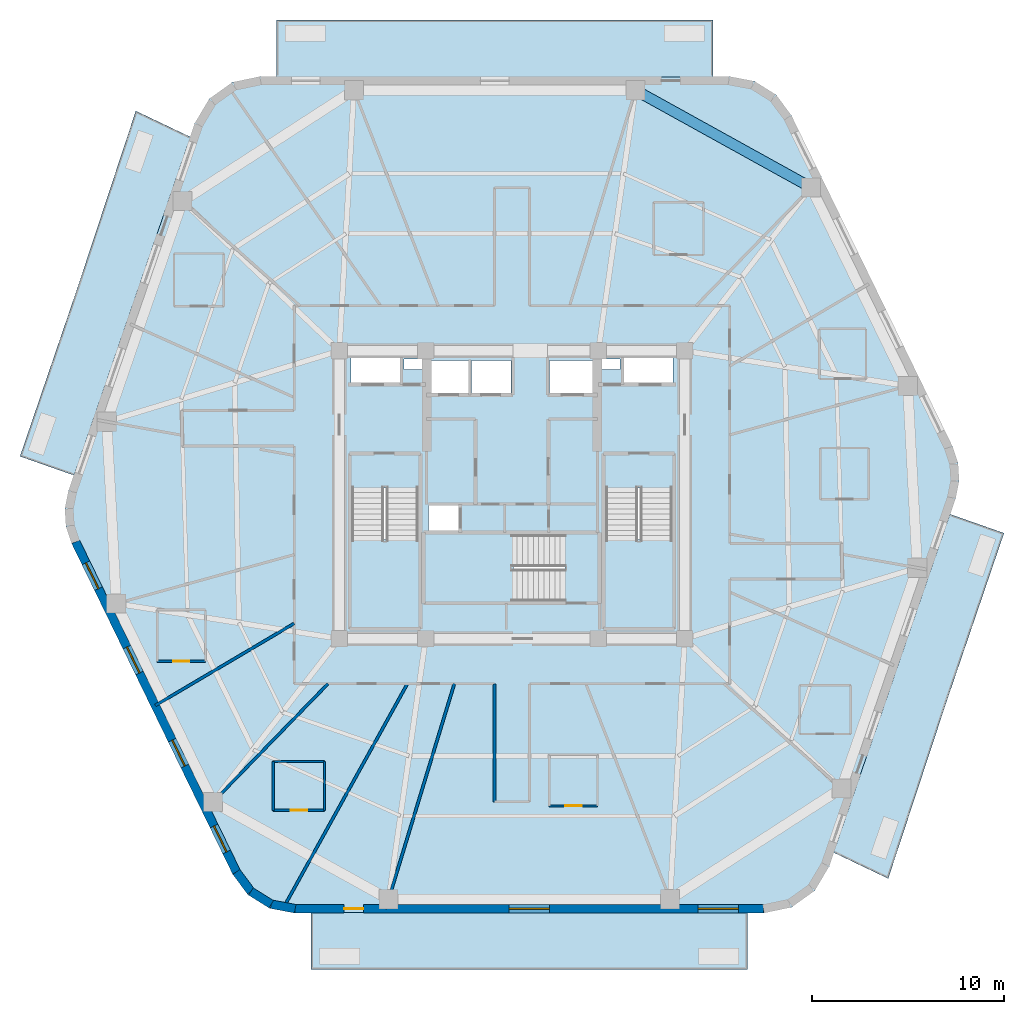
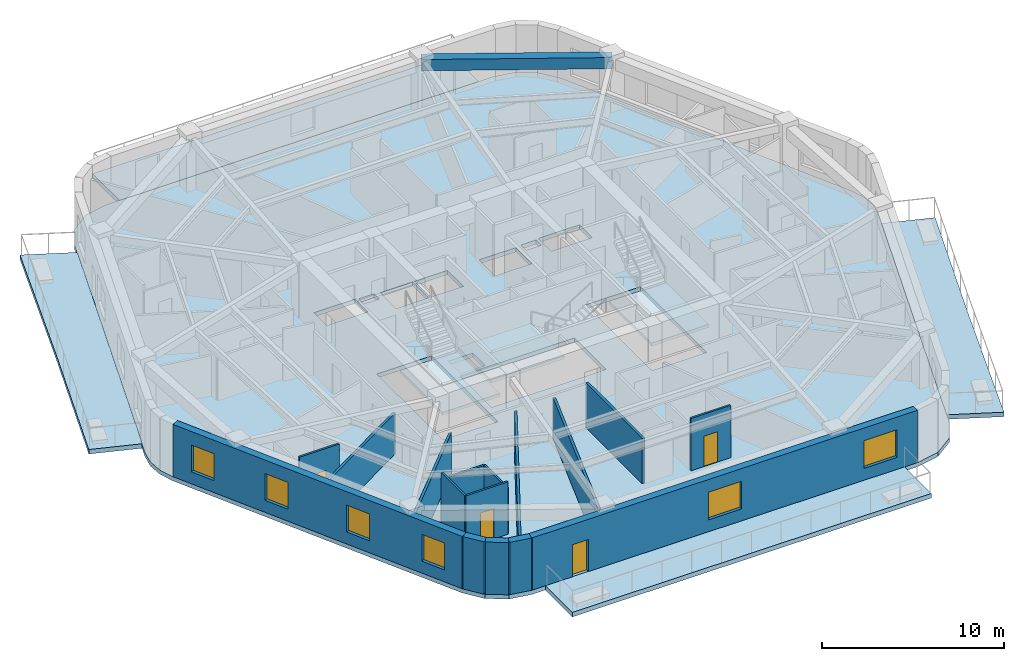
# One storey, part 2 of 9: 16 walls, 8 slabs, 6 windows, 4 doors, 1 beam, 10 openings, 3 elements without a shape of their own.
"""IFC4 building model written with IfcOpenShell, lengths in metres."""

import ifcopenshell
import ifcopenshell.guid

model = None  # the IFC model being written
_history = None  # IfcOwnerHistory: only IFC2X3 demands one
_inside = {}  # id of a spatial element -> (the spatial element, [elements in it])
_under = {}  # id of a project, library or spatial element -> (it, [spatial elements below it])
_declared = {}  # id of a project -> (the project, [libraries it declares])
_typed = {}  # id of a type object -> (the type object, [elements of that type])
_made_of = {}  # id of a material, layer set ... -> (it, [elements and type objects made of it])


def new_model(schema):
    """Start an empty IFC model of exactly this schema.

    Asked for "IFC4X3", IfcOpenShell would pick the latest addendum, in which some entities
    have other attributes; the version numbers below select the first issue.
    IFC2X3 requires an IfcOwnerHistory on every rooted entity: one is made here for all.
    """
    global model, _history
    if schema == "IFC4X3":
        model = ifcopenshell.file(schema_version=(4, 3, 0, 0))
    else:
        model = ifcopenshell.file(schema=schema)
    _inside.clear()
    _under.clear()
    _declared.clear()
    _typed.clear()
    _made_of.clear()
    _history = None
    if model.schema == "IFC2X3":
        org = make("IfcOrganization", Name="unknown")
        user = make(
            "IfcPersonAndOrganization",
            ThePerson=make("IfcPerson", FamilyName="unknown"),
            TheOrganization=org,
        )
        app = make(
            "IfcApplication",
            ApplicationDeveloper=org,
            Version="unknown",
            ApplicationFullName="unknown",
            ApplicationIdentifier="unknown",
        )
        _history = make(
            "IfcOwnerHistory",
            OwningUser=user,
            OwningApplication=app,
            ChangeAction="ADDED",
            CreationDate=0,
        )
    return model


def make(cls, **values):
    """One entity of the class cls with the attributes given. An attribute that is None is left unset."""
    return model.create_entity(
        cls, **{name: value for name, value in values.items() if value is not None}
    )


def rooted(cls, **values):
    """An entity with a GlobalId (a new one), such as an element, a storey or a relation."""
    return make(cls, GlobalId=ifcopenshell.guid.new(), OwnerHistory=_history, **values)


def si_unit(unit_type, name, prefix=None):
    """IfcSIUnit, for example si_unit("LENGTHUNIT", "METRE", prefix="MILLI")."""
    return make("IfcSIUnit", UnitType=unit_type, Prefix=prefix, Name=name)


def assignment(units):
    """IfcUnitAssignment: the units of a project."""
    return None if units is None else make("IfcUnitAssignment", Units=units)


def point(xyz):
    """IfcCartesianPoint."""
    return None if xyz is None else make("IfcCartesianPoint", Coordinates=xyz)


def direction(xyz):
    """IfcDirection."""
    return None if xyz is None else make("IfcDirection", DirectionRatios=xyz)


def frame(location, z_axis=None, x_axis=None):
    """IfcAxis2Placement3D, a coordinate frame: its origin and axes. An axis left out is left unset."""
    return make(
        "IfcAxis2Placement3D",
        Location=point(location),
        Axis=direction(z_axis),
        RefDirection=direction(x_axis),
    )


def frame_2d(location, x_axis=None):
    """IfcAxis2Placement2D, a coordinate frame in the plane: its origin and x axis."""
    return make(
        "IfcAxis2Placement2D", Location=point(location), RefDirection=direction(x_axis)
    )


def origin():
    """The frame at (0, 0, 0) with its axes left unset."""
    return frame((0.0, 0.0, 0.0))


def origin_2d():
    """The frame at (0, 0) in the plane with its x axis left unset."""
    return frame_2d((0.0, 0.0))


def place(relative_to, where):
    """IfcLocalPlacement: puts the frame where relative to a parent placement (None: the world)."""
    return make(
        "IfcLocalPlacement", PlacementRelTo=relative_to, RelativePlacement=where
    )


def context(
    kind, dimensions, precision=None, world=None, true_north=None, identifier=None
):
    """IfcGeometricRepresentationContext, for example the 3D "Model" context."""
    return make(
        "IfcGeometricRepresentationContext",
        ContextIdentifier=identifier,
        ContextType=kind,
        CoordinateSpaceDimension=dimensions,
        Precision=precision,
        WorldCoordinateSystem=world,
        TrueNorth=true_north,
    )


def subcontext(parent, identifier, kind, view, scale=None):
    """IfcGeometricRepresentationSubContext, for example "Body" below "Model"."""
    return make(
        "IfcGeometricRepresentationSubContext",
        ContextIdentifier=identifier,
        ContextType=kind,
        ParentContext=parent,
        TargetScale=scale,
        TargetView=view,
    )


def project(units=None, contexts=None):
    """IfcProject with its units and contexts."""
    return rooted(
        "IfcProject",
        Name="project",
        RepresentationContexts=contexts,
        UnitsInContext=assignment(units),
    )


def spatial(cls, under=None, at=None, **own):
    """A site, building, storey or space (cls), placed at a placement, below another one or the project."""
    s = rooted(cls, ObjectPlacement=at, **own)
    if under is not None:
        _under.setdefault(under.id(), (under, []))[1].append(s)
    return s


def polyline(points):
    """IfcPolyline through the points."""
    return make("IfcPolyline", Points=[point(p) for p in points])


def profile(cls, at=None, kind="AREA", **sizes):
    """A parametric profile (cls). Its sizes go by their IFC names, for example OverallWidth=200.0."""
    return make(cls, ProfileType=kind, Position=at, **sizes)


def rectangle(**sizes):
    """IfcRectangleProfileDef."""
    return profile("IfcRectangleProfileDef", **sizes)


def outline(outer, holes=None, kind="AREA"):
    """IfcArbitraryClosedProfileDef: a profile drawn as a closed curve; with holes, ...WithVoids."""
    if holes is None:
        return make("IfcArbitraryClosedProfileDef", ProfileType=kind, OuterCurve=outer)
    return make(
        "IfcArbitraryProfileDefWithVoids",
        ProfileType=kind,
        OuterCurve=outer,
        InnerCurves=holes,
    )


def extrude(swept, where, along, depth):
    """IfcExtrudedAreaSolid: the profile swept, set in the frame where, extruded along a direction by depth."""
    return make(
        "IfcExtrudedAreaSolid",
        SweptArea=swept,
        Position=where,
        ExtrudedDirection=direction(along),
        Depth=depth,
    )


def shape(context_of_items, identifier, shape_type, items):
    """IfcShapeRepresentation: the items that make up one representation, for example the "Body"."""
    return make(
        "IfcShapeRepresentation",
        ContextOfItems=context_of_items,
        RepresentationIdentifier=identifier,
        RepresentationType=shape_type,
        Items=items,
    )


def material(Name=None, Category=None):
    """IfcMaterial."""
    return make("IfcMaterial", Name=Name, Category=Category)


def layer(
    of_material, thickness, ventilated=None, Name=None, Category=None, Priority=None
):
    """IfcMaterialLayer: one layer of a wall or slab, of a material (None: an air gap)."""
    return make(
        "IfcMaterialLayer",
        Material=of_material,
        LayerThickness=thickness,
        IsVentilated=ventilated,
        Name=Name,
        Category=Category,
        Priority=Priority,
    )


def layer_set(layers, Name=None):
    """IfcMaterialLayerSet."""
    return make("IfcMaterialLayerSet", MaterialLayers=layers, LayerSetName=Name)


def material_profile(
    of_material, cross_section, Name=None, Category=None, Priority=None
):
    """IfcMaterialProfile: a cross section and its material."""
    return make(
        "IfcMaterialProfile",
        Name=Name,
        Material=of_material,
        Profile=cross_section,
        Priority=Priority,
        Category=Category,
    )


def profile_set(profiles, Name=None, composite=None):
    """IfcMaterialProfileSet."""
    return make(
        "IfcMaterialProfileSet",
        Name=Name,
        MaterialProfiles=profiles,
        CompositeProfile=composite,
    )


def made_of(thing, what):
    """Note that an element or type object is made of a material, layer set ...; save() writes the relation."""
    if what is not None:
        _made_of.setdefault(what.id(), (what, []))[1].append(thing)
    return thing


def type_object(cls, material=None, **own):
    """A type object (cls), such as IfcWallType, which elements share."""
    return made_of(rooted(cls, **own), material)


def element(
    cls,
    number,
    at=None,
    inside=None,
    cuts=None,
    type_object=None,
    material=None,
    context=None,
    identifier="Body",
    shape_type=None,
    held_by="IfcProductDefinitionShape",
    body=None,
    shapes=None,
    **own,
):
    """One element of the class cls, such as IfcWall. Its Tag is "e" and its number.

    at: its placement. inside: the storey or other place that contains it. cuts: it is an
    opening in that element (IfcRelVoidsElement). A single representation is given by context,
    identifier, shape_type and body (its items); several are given by shapes. held_by: the class
    of the entity that holds the representations. save() writes the other relations.
    """
    e = rooted(cls, Tag="e%d" % number, ObjectPlacement=at, **own)
    if body is not None:
        shapes = [shape(context, identifier, shape_type, body)]
    if shapes is not None:
        e.Representation = make(held_by, Representations=shapes)
    if inside is not None:
        _inside.setdefault(inside.id(), (inside, []))[1].append(e)
    if cuts is not None:
        rooted(
            "IfcRelVoidsElement", RelatingBuildingElement=cuts, RelatedOpeningElement=e
        )
    if type_object is not None:
        _typed.setdefault(type_object.id(), (type_object, []))[1].append(e)
    return made_of(e, material)


def fill(opening, filler):
    """IfcRelFillsElement: the door or window that sits in an opening."""
    return rooted(
        "IfcRelFillsElement",
        RelatingOpeningElement=opening,
        RelatedBuildingElement=filler,
    )


def aggregate(whole, parts):
    """IfcRelAggregates: a whole, such as a stair, and the parts it consists of."""
    return rooted("IfcRelAggregates", RelatingObject=whole, RelatedObjects=parts)


def save(model, path):
    """Write the relations noted so far, then the file.

    IfcRelAggregates (storeys below a building ...), IfcRelContainedInSpatialStructure (elements
    in a storey), IfcRelDefinesByType, IfcRelAssociatesMaterial and IfcRelDeclares: one each for
    every whole, place, type object, material and project.
    """
    for whole, parts in _under.values():
        aggregate(whole, parts)
    for where, things in _inside.values():
        rooted(
            "IfcRelContainedInSpatialStructure",
            RelatedElements=things,
            RelatingStructure=where,
        )
    for kind, things in _typed.values():
        rooted("IfcRelDefinesByType", RelatedObjects=things, RelatingType=kind)
    for what, things in _made_of.values():
        rooted("IfcRelAssociatesMaterial", RelatedObjects=things, RelatingMaterial=what)
    for by, libraries in _declared.values():
        rooted("IfcRelDeclares", RelatingContext=by, RelatedDefinitions=libraries)
    model.write(path)


model = new_model("IFC4")

# Units and contexts
model_context = context("Model", 3, precision=1e-05, world=origin(), true_north=direction((0.0, 1.0)))
body_context = subcontext(model_context, "Body", "Model", "MODEL_VIEW")
ifc_project = project(units=[si_unit("LENGTHUNIT", "METRE"), si_unit("AREAUNIT", "SQUARE_METRE"), si_unit("VOLUMEUNIT", "CUBIC_METRE"), si_unit("PLANEANGLEUNIT", "RADIAN"), si_unit("MASSUNIT", "GRAM", prefix="KILO")], contexts=[model_context])

# Site, building, storey
site_placement = place(None, origin())
site = spatial("IfcSite", under=ifc_project, at=site_placement, CompositionType="ELEMENT")
building_placement = place(site_placement, origin())
building = spatial("IfcBuilding", under=site, at=building_placement, Name="Kilnhurst Terrace Hotel", CompositionType="ELEMENT")
storey_placement = place(building_placement, frame((0.0, 0.0, 221.699951171875)))
storey = spatial("IfcBuildingStorey", under=building, at=storey_placement, Name="L55", CompositionType="ELEMENT", Elevation=221.699951171875)

# Beam
ifc_material_1 = material(Name="Concrete C50/60", Category="concrete")
ifc_material_profile = material_profile(ifc_material_1, rectangle(XDim=0.550048828125, YDim=0.75, at=origin_2d()), Name="RC550X750")
ifc_profile_set = profile_set([ifc_material_profile], Name="Concrete C50/60")
beam_type = type_object("IfcBeamType", Name="BM-SPN-550X750", PredefinedType="SPANDREL", material=ifc_profile_set)
beam_placement = place(storey_placement, frame((15.5869140625, 16.012939453125, 3.125), z_axis=(-0.874970333121, 0.484176534085, 0.0), x_axis=(-0.484176534085, -0.874970333121, 0.0)))
element("IfcBeam", 1, at=beam_placement, inside=storey, type_object=beam_type, Name="L55 Perimeter Spandrel Beam 6", PredefinedType="SPANDREL", context=body_context, shape_type="SweptSolid", body=[
    extrude(rectangle(XDim=0.550048828125, YDim=0.75, at=origin_2d()), origin(), (0.0, 0.0, 1.0), 10.465576171875),
])

# Slabs
ifc_layer_1 = layer(ifc_material_1, 0.300048828125, Name="Concrete C50/60")
ifc_layer_set_1 = layer_set([ifc_layer_1], Name="Concrete C50/60")
slab_type_1 = type_object("IfcSlabType", Name="SLB-BAL-300", PredefinedType="FLOOR", material=ifc_layer_set_1)
slab_1_placement = place(storey_placement, frame((0.0, 0.0, -0.300048828125)))
element("IfcSlab", 2, at=slab_1_placement, inside=storey, type_object=slab_type_1, Name="L55 Cantilevered Planted Terrace Slab BAL-L1A", PredefinedType="FLOOR", context=body_context, shape_type="SweptSolid", body=[
    extrude(outline(polyline([(-10.46875, -21.780029296875), (12.27490234375, -21.780029296875), (12.27490234375, -24.739990234375), (-10.46875, -24.739990234375), (-10.46875, -21.780029296875)])), origin(), (0.0, 0.0, 1.0), 0.300048828125),
])
slab_2_placement = place(storey_placement, frame((0.0, 0.0, -0.300048828125)))
element("IfcSlab", 3, at=slab_2_placement, inside=storey, type_object=slab_type_1, Name="L55 Cantilevered Planted Terrace Slab BAL-L1B", PredefinedType="FLOOR", context=body_context, shape_type="SweptSolid", body=[
    extrude(outline(polyline([(19.604736328125, -20.0), (16.75830078125, -18.64208984375), (22.8193359375, -1.010498046875), (25.638916015625, -2.0), (22.650146484375, -10.76171875), (19.604736328125, -20.0)])), origin(), (0.0, 0.0, 1.0), 0.300048828125),
])
slab_3_placement = place(storey_placement, frame((0.0, 0.0, -0.300048828125)))
element("IfcSlab", 4, at=slab_3_placement, inside=storey, type_object=slab_type_1, Name="L55 Cantilevered Planted Terrace Slab BAL-L2A", PredefinedType="FLOOR", context=body_context, shape_type="SweptSolid", body=[
    extrude(outline(polyline([(-12.27490234375, 21.780029296875), (-12.27490234375, 24.739990234375), (10.46875, 24.739990234375), (10.46875, 21.780029296875), (-12.27490234375, 21.780029296875)])), origin(), (0.0, 0.0, 1.0), 0.300048828125),
])
slab_4_placement = place(storey_placement, frame((0.0, 0.0, -0.300048828125)))
element("IfcSlab", 5, at=slab_4_placement, inside=storey, type_object=slab_type_1, Name="L55 Cantilevered Planted Terrace Slab BAL-L2B", PredefinedType="FLOOR", context=body_context, shape_type="SweptSolid", body=[
    extrude(outline(polyline([(-19.604736328125, 20.0), (-16.75830078125, 18.64208984375), (-22.8193359375, 1.010498046875), (-25.638916015625, 2.0), (-22.650146484375, 10.76171875), (-19.604736328125, 20.0)])), origin(), (0.0, 0.0, 1.0), 0.300048828125),
])
ifc_layer_2 = layer(ifc_material_1, 0.280029296875, Name="Concrete C50/60")
ifc_layer_set_2 = layer_set([ifc_layer_2], Name="Concrete C50/60")
slab_type_2 = type_object("IfcSlabType", Name="SLB-FLR-280", PredefinedType="FLOOR", material=ifc_layer_set_2)
slab_5_placement = place(storey_placement, frame((0.0, 0.0, -0.280029296875)))
element("IfcSlab", 6, at=slab_5_placement, inside=storey, type_object=slab_type_2, Name="L55 Structural Floor Slab", PredefinedType="FLOOR", context=body_context, shape_type="SweptSolid", body=[
    extrude(outline(polyline([(-14.555419921875, -19.77587890625), (-13.759765625, -20.845947265625), (-12.629150390625, -21.552978515625), (-11.318603515625, -21.800048828125), (13.124755859375, -21.800048828125), (14.5703125, -21.4970703125), (15.772705078125, -20.638916015625), (16.529296875, -19.370361328125), (23.1162109375, -0.208740234375), (23.302978515625, 0.710693359375), (23.24560546875, 1.6474609375), (22.948486328125, 2.537353515625), (14.555419921875, 19.77587890625), (13.759765625, 20.845947265625), (12.629150390625, 21.552978515625), (11.318603515625, 21.800048828125), (-13.124755859375, 21.800048828125), (-14.5703125, 21.4970703125), (-15.772705078125, 20.638916015625), (-16.529296875, 19.370361328125), (-23.1162109375, 0.208740234375), (-23.302978515625, -0.710693359375), (-23.24560546875, -1.6474609375), (-22.948486328125, -2.537353515625), (-14.555419921875, -19.77587890625)]), holes=[polyline([(-8.35009765625, 0.35498046875), (-4.8798828125, 0.35498046875), (-4.8798828125, -6.89990234375), (-8.35009765625, -6.89990234375), (-8.35009765625, 0.35498046875)]), polyline([(-2.800048828125, -1.89990234375), (-4.35009765625, -1.89990234375), (-4.35009765625, -0.550048828125), (-2.800048828125, -0.550048828125), (-2.800048828125, -1.89990234375)]), polyline([(-2.25, 5.25), (-4.300048828125, 5.25), (-4.300048828125, 7.0), (-2.25, 7.0), (-2.25, 5.25)]), polyline([(-2.1201171875, 5.25), (-2.1201171875, 7.0), (-0.050048828125, 7.0), (-0.050048828125, 5.25), (-2.1201171875, 5.25)]), polyline([(-8.39990234375, 5.75), (-8.39990234375, 7.14990234375), (-5.800048828125, 7.14990234375), (-5.800048828125, 5.75), (-8.39990234375, 5.75)]), polyline([(-4.659912109375, 6.52001953125), (-5.6201171875, 6.52001953125), (-5.6201171875, 7.080078125), (-4.659912109375, 7.080078125), (-4.659912109375, 6.52001953125)]), polyline([(2.7548828125, -5.550048828125), (-4.5, -5.550048828125), (-4.5, -2.080078125), (2.7548828125, -2.080078125), (2.7548828125, -5.550048828125)]), polyline([(8.35009765625, 0.35498046875), (8.35009765625, -6.89990234375), (4.8798828125, -6.89990234375), (4.8798828125, 0.35498046875), (8.35009765625, 0.35498046875)]), polyline([(4.300048828125, 5.25), (1.949951171875, 5.25), (1.949951171875, 7.0), (4.300048828125, 7.0), (4.300048828125, 5.25)]), polyline([(5.800048828125, 5.75), (5.800048828125, 7.14990234375), (8.39990234375, 7.14990234375), (8.39990234375, 5.75), (5.800048828125, 5.75)]), polyline([(4.659912109375, 6.52001953125), (4.659912109375, 7.080078125), (5.6201171875, 7.080078125), (5.6201171875, 6.52001953125), (4.659912109375, 6.52001953125)])]), origin(), (0.0, 0.0, 1.0), 0.280029296875),
])

# Stair, slab
stair_type = type_object("IfcStairType", Name="STR-CORE-1660", PredefinedType="HALF_TURN_STAIR", material=ifc_material_1)
stair_1_placement = place(storey_placement, origin())
stair_1 = element("IfcStair", 7, at=stair_1_placement, inside=storey, type_object=stair_type, Name="L55 ST-1", PredefinedType="HALF_TURN_STAIR")
ifc_layer_3 = layer(ifc_material_1, 0.199951171875, Name="Concrete C50/60")
ifc_layer_set_3 = layer_set([ifc_layer_3], Name="Concrete C50/60")
slab_type_3 = type_object("IfcSlabType", Name="SLB-ST-LND-200", PredefinedType="LANDING", material=ifc_layer_set_3)
slab_6_placement = place(storey_placement, frame((0.0, 0.0, 1.699951171875)))
slab_6 = element("IfcSlab", 8, at=slab_6_placement, type_object=slab_type_3, Name="ST-1 landing 1", PredefinedType="LANDING", context=body_context, shape_type="SweptSolid", body=[
    extrude(outline(polyline([(-8.429931640625, -2.330078125), (-4.800048828125, -2.330078125), (-4.800048828125, -6.97998046875), (-8.429931640625, -6.97998046875), (-8.429931640625, -2.330078125)])), origin(), (0.0, 0.0, 1.0), 0.2001953125),
])
aggregate(stair_1, [slab_6])

stair_2_placement = place(storey_placement, origin())
stair_2 = element("IfcStair", 9, at=stair_2_placement, inside=storey, type_object=stair_type, Name="L55 ST-2", PredefinedType="HALF_TURN_STAIR")
slab_7_placement = place(storey_placement, frame((0.0, 0.0, 1.699951171875)))
slab_7 = element("IfcSlab", 10, at=slab_7_placement, type_object=slab_type_3, Name="ST-2 landing 1", PredefinedType="LANDING", context=body_context, shape_type="SweptSolid", body=[
    extrude(outline(polyline([(4.800048828125, -2.330078125), (8.429931640625, -2.330078125), (8.429931640625, -6.97998046875), (4.800048828125, -6.97998046875), (4.800048828125, -2.330078125)])), origin(), (0.0, 0.0, 1.0), 0.2001953125),
])
aggregate(stair_2, [slab_7])

stair_3_placement = place(storey_placement, origin())
stair_3 = element("IfcStair", 11, at=stair_3_placement, inside=storey, type_object=stair_type, Name="L55 ST-3", PredefinedType="HALF_TURN_STAIR")
slab_8_placement = place(storey_placement, frame((0.0, 0.0, 1.699951171875)))
slab_8 = element("IfcSlab", 12, at=slab_8_placement, type_object=slab_type_3, Name="ST-3 landing 1", PredefinedType="LANDING", context=body_context, shape_type="SweptSolid", body=[
    extrude(outline(polyline([(0.070068359375, -2.0), (0.070068359375, -5.6298828125), (-4.580078125, -5.6298828125), (-4.580078125, -2.0), (0.070068359375, -2.0)])), origin(), (0.0, 0.0, 1.0), 0.2001953125),
])
aggregate(stair_3, [slab_8])

# Walls
ifc_material_2 = material(Name="Precast concrete C40/50", Category="concrete")
ifc_layer_4 = layer(ifc_material_2, 0.449951171875, Name="Precast concrete C40/50")
ifc_layer_set_4 = layer_set([ifc_layer_4], Name="Precast concrete C40/50")
wall_type_1 = type_object("IfcWallType", Name="WL-BRK-450", PredefinedType="SOLIDWALL", material=ifc_layer_set_4)
wall_1_placement = place(storey_placement, frame((-14.3623046875, -19.658447265625, 0.0), z_axis=(0.0, 0.0, 1.0), x_axis=(0.596642462792, -0.80250717853, 0.0)))
element("IfcWall", 13, at=wall_1_placement, inside=storey, type_object=wall_type_1, Name="L55 Rounded Corner Brick Wall C1.1", PredefinedType="SOLIDWALL", context=body_context, shape_type="SweptSolid", body=[
    extrude(rectangle(XDim=1.27001953125, YDim=0.449951171875, at=frame_2d((0.635009765625, 0.0))), origin(), (0.0, 0.0, 1.0), 3.5),
])
wall_2_placement = place(storey_placement, frame((-13.6044921875, -20.677734375, 0.0), z_axis=(0.0, 0.0, 1.0), x_axis=(0.847910404124, -0.53013955387, 0.0)))
element("IfcWall", 14, at=wall_2_placement, inside=storey, type_object=wall_type_1, Name="L55 Rounded Corner Brick Wall C1.2", PredefinedType="SOLIDWALL", context=body_context, shape_type="SweptSolid", body=[
    extrude(rectangle(XDim=1.24853515625, YDim=0.449951171875, at=frame_2d((0.624267578125, 0.0))), origin(), (0.0, 0.0, 1.0), 3.5),
])
wall_3_placement = place(storey_placement, frame((-12.5458984375, -21.339599609375, 0.0), z_axis=(0.0, 0.0, 1.0), x_axis=(0.982686750835, -0.18527479519, 0.0)))
element("IfcWall", 15, at=wall_3_placement, inside=storey, type_object=wall_type_1, Name="L55 Rounded Corner Brick Wall C1.3", PredefinedType="SOLIDWALL", context=body_context, shape_type="SweptSolid", body=[
    extrude(rectangle(XDim=1.270263671875, YDim=0.449951171875, at=frame_2d((0.63525390625, 0.0))), origin(), (0.0, 0.0, 1.0), 3.5),
])

# Wall, openings, door, windows
wall_4_placement = place(storey_placement, frame((-11.297607421875, -21.574951171875, 0.0), z_axis=(0.0, 0.0, 1.0), x_axis=(1.0, 0.0, 0.0)))
wall_4 = element("IfcWall", 16, at=wall_4_placement, inside=storey, type_object=wall_type_1, Name="L55 Exterior Brick Facade Wall F1", PredefinedType="SOLIDWALL", context=body_context, shape_type="SweptSolid", body=[
    extrude(rectangle(XDim=24.399169921875, YDim=0.449951171875, at=frame_2d((12.19970703125, 0.0))), origin(), (0.0, 0.0, 1.0), 3.5),
])
opening_1_placement = place(wall_4_placement, frame((2.550048828125, 0.0, 0.0)))
opening_1 = element("IfcOpeningElement", 17, at=opening_1_placement, cuts=wall_4, Name="Opening BD-1000", PredefinedType="OPENING", context=body_context, shape_type="SweptSolid", body=[
    extrude(rectangle(XDim=1.0, YDim=2.14990234375, at=frame_2d((0.5, 1.074951171875))), frame((0.0, 0.23486328125, 0.0), z_axis=(0.0, -1.0, 0.0), x_axis=(1.0, 0.0, 0.0)), (0.0, 0.0, 1.0), 0.469970703125),
])
opening_2_placement = place(wall_4_placement, frame((11.15087890625, 0.0, 0.800048828125)))
opening_2 = element("IfcOpeningElement", 18, at=opening_2_placement, cuts=wall_4, Name="Opening W-04", PredefinedType="OPENING", context=body_context, shape_type="SweptSolid", body=[
    extrude(rectangle(XDim=2.10009765625, YDim=1.85009765625, at=frame_2d((1.050048828125, 0.925048828125))), frame((0.0, 0.23486328125, 0.0), z_axis=(0.0, -1.0, 0.0), x_axis=(1.0, 0.0, 0.0)), (0.0, 0.0, 1.0), 0.469970703125),
])
opening_3_placement = place(wall_4_placement, frame((20.99609375, 0.0, 0.800048828125)))
opening_3 = element("IfcOpeningElement", 19, at=opening_3_placement, cuts=wall_4, Name="Opening W-04", PredefinedType="OPENING", context=body_context, shape_type="SweptSolid", body=[
    extrude(rectangle(XDim=2.10009765625, YDim=1.85009765625, at=frame_2d((1.050048828125, 0.925048828125))), frame((0.0, 0.23486328125, 0.0), z_axis=(0.0, -1.0, 0.0), x_axis=(1.0, 0.0, 0.0)), (0.0, 0.0, 1.0), 0.469970703125),
])
ifc_material_3 = material(Name="Thermally Broken Bronze Aluminium Alloy 6063-T6 and Laminated Glass", Category="aluminium")
door_type_1 = type_object("IfcDoorType", Name="DR-EXT-BAL-1000", OperationType="NOTDEFINED", PredefinedType="DOOR", material=ifc_material_3)
door_1_placement = place(opening_1_placement, origin())
door_1 = element("IfcDoor", 20, at=door_1_placement, inside=storey, type_object=door_type_1, Name="L55 Planted Balcony Door BAL-L1A", OperationType="SINGLE_SWING_LEFT", OverallHeight=2.14990234375, OverallWidth=1.0, PredefinedType="DOOR", context=body_context, shape_type="SweptSolid", body=[
    extrude(rectangle(XDim=1.0, YDim=2.14990234375, at=frame_2d((0.5, 1.074951171875))), frame((0.0, 0.02490234375, 0.0), z_axis=(0.0, -1.0, 0.0), x_axis=(1.0, 0.0, 0.0)), (0.0, 0.0, 1.0), 0.050048828125),
])
fill(opening_1, door_1)
ifc_material_4 = material(Name="Thermally Broken Bronze Aluminium Alloy 6063-T6 and Low-E Glass", Category="aluminium")
window_type_1 = type_object("IfcWindowType", Name="WIN-2100X1850", PartitioningType="SINGLE_PANEL", PredefinedType="WINDOW", material=ifc_material_4)
window_1_placement = place(opening_2_placement, origin())
window_1 = element("IfcWindow", 21, at=window_1_placement, inside=storey, type_object=window_type_1, Name="L55 Deep-Set Masonry Window F1.1", OverallHeight=1.85009765625, OverallWidth=2.10009765625, PartitioningType="SINGLE_PANEL", PredefinedType="WINDOW", context=body_context, shape_type="SweptSolid", body=[
    extrude(rectangle(XDim=2.10009765625, YDim=1.85009765625, at=frame_2d((1.050048828125, 0.925048828125))), frame((0.0, 0.030029296875, 0.0), z_axis=(0.0, -1.0, 0.0), x_axis=(1.0, 0.0, 0.0)), (0.0, 0.0, 1.0), 0.06005859375),
])
fill(opening_2, window_1)
window_2_placement = place(opening_3_placement, origin())
window_2 = element("IfcWindow", 22, at=window_2_placement, inside=storey, type_object=window_type_1, Name="L55 Deep-Set Masonry Window F1.2", OverallHeight=1.85009765625, OverallWidth=2.10009765625, PartitioningType="SINGLE_PANEL", PredefinedType="WINDOW", context=body_context, shape_type="SweptSolid", body=[
    extrude(rectangle(XDim=2.10009765625, YDim=1.85009765625, at=frame_2d((1.050048828125, 0.925048828125))), frame((0.0, 0.030029296875, 0.0), z_axis=(0.0, -1.0, 0.0), x_axis=(1.0, 0.0, 0.0)), (0.0, 0.0, 1.0), 0.06005859375),
])
fill(opening_3, window_2)

# Wall, openings, windows
wall_5_placement = place(storey_placement, frame((-22.73974609375, -2.4521484375, 0.0), z_axis=(0.0, 0.0, 1.0), x_axis=(0.437753424814, -0.899095066755, 0.0)))
wall_5 = element("IfcWall", 23, at=wall_5_placement, inside=storey, type_object=wall_type_1, Name="L55 Exterior Brick Facade Wall F6", PredefinedType="SOLIDWALL", context=body_context, shape_type="SweptSolid", body=[
    extrude(rectangle(XDim=19.137451171875, YDim=0.449951171875, at=frame_2d((9.56884765625, 0.0))), origin(), (0.0, 0.0, 1.0), 3.5),
])
opening_4_placement = place(wall_5_placement, frame((1.216064453125, 0.0, 0.800048828125)))
opening_4 = element("IfcOpeningElement", 24, at=opening_4_placement, cuts=wall_5, Name="Opening W-02", PredefinedType="OPENING", context=body_context, shape_type="SweptSolid", body=[
    extrude(rectangle(XDim=1.5, YDim=1.800048828125, at=frame_2d((0.75, 0.89990234375))), frame((0.0, 0.23486328125, 0.0), z_axis=(0.0, -1.0, 0.0), x_axis=(1.0, 0.0, 0.0)), (0.0, 0.0, 1.0), 0.469970703125),
])
opening_5_placement = place(wall_5_placement, frame((6.10498046875, 0.0, 0.800048828125)))
opening_5 = element("IfcOpeningElement", 25, at=opening_5_placement, cuts=wall_5, Name="Opening W-02", PredefinedType="OPENING", context=body_context, shape_type="SweptSolid", body=[
    extrude(rectangle(XDim=1.5, YDim=1.800048828125, at=frame_2d((0.75, 0.89990234375))), frame((0.0, 0.23486328125, 0.0), z_axis=(0.0, -1.0, 0.0), x_axis=(1.0, 0.0, 0.0)), (0.0, 0.0, 1.0), 0.469970703125),
])
opening_6_placement = place(wall_5_placement, frame((11.4990234375, 0.0, 0.800048828125)))
opening_6 = element("IfcOpeningElement", 26, at=opening_6_placement, cuts=wall_5, Name="Opening W-02", PredefinedType="OPENING", context=body_context, shape_type="SweptSolid", body=[
    extrude(rectangle(XDim=1.5, YDim=1.800048828125, at=frame_2d((0.75, 0.89990234375))), frame((0.0, 0.23486328125, 0.0), z_axis=(0.0, -1.0, 0.0), x_axis=(1.0, 0.0, 0.0)), (0.0, 0.0, 1.0), 0.469970703125),
])
opening_7_placement = place(wall_5_placement, frame((16.472900390625, 0.0, 0.800048828125)))
opening_7 = element("IfcOpeningElement", 27, at=opening_7_placement, cuts=wall_5, Name="Opening W-02", PredefinedType="OPENING", context=body_context, shape_type="SweptSolid", body=[
    extrude(rectangle(XDim=1.5, YDim=1.800048828125, at=frame_2d((0.75, 0.89990234375))), frame((0.0, 0.23486328125, 0.0), z_axis=(0.0, -1.0, 0.0), x_axis=(1.0, 0.0, 0.0)), (0.0, 0.0, 1.0), 0.469970703125),
])
window_type_2 = type_object("IfcWindowType", Name="WIN-1500X1800", PartitioningType="SINGLE_PANEL", PredefinedType="WINDOW", material=ifc_material_4)
window_3_placement = place(opening_4_placement, origin())
window_3 = element("IfcWindow", 28, at=window_3_placement, inside=storey, type_object=window_type_2, Name="L55 Deep-Set Masonry Window F6.1", OverallHeight=1.800048828125, OverallWidth=1.5, PartitioningType="SINGLE_PANEL", PredefinedType="WINDOW", context=body_context, shape_type="SweptSolid", body=[
    extrude(rectangle(XDim=1.5, YDim=1.800048828125, at=frame_2d((0.75, 0.89990234375))), frame((0.0, 0.030029296875, 0.0), z_axis=(0.0, -1.0, 0.0), x_axis=(1.0, 0.0, 0.0)), (0.0, 0.0, 1.0), 0.06005859375),
])
fill(opening_4, window_3)
window_4_placement = place(opening_5_placement, origin())
window_4 = element("IfcWindow", 29, at=window_4_placement, inside=storey, type_object=window_type_2, Name="L55 Deep-Set Masonry Window F6.2", OverallHeight=1.800048828125, OverallWidth=1.5, PartitioningType="SINGLE_PANEL", PredefinedType="WINDOW", context=body_context, shape_type="SweptSolid", body=[
    extrude(rectangle(XDim=1.5, YDim=1.800048828125, at=frame_2d((0.75, 0.89990234375))), frame((0.0, 0.030029296875, 0.0), z_axis=(0.0, -1.0, 0.0), x_axis=(1.0, 0.0, 0.0)), (0.0, 0.0, 1.0), 0.06005859375),
])
fill(opening_5, window_4)
window_5_placement = place(opening_6_placement, origin())
window_5 = element("IfcWindow", 30, at=window_5_placement, inside=storey, type_object=window_type_2, Name="L55 Deep-Set Masonry Window F6.3", OverallHeight=1.800048828125, OverallWidth=1.5, PartitioningType="SINGLE_PANEL", PredefinedType="WINDOW", context=body_context, shape_type="SweptSolid", body=[
    extrude(rectangle(XDim=1.5, YDim=1.800048828125, at=frame_2d((0.75, 0.89990234375))), frame((0.0, 0.030029296875, 0.0), z_axis=(0.0, -1.0, 0.0), x_axis=(1.0, 0.0, 0.0)), (0.0, 0.0, 1.0), 0.06005859375),
])
fill(opening_6, window_5)
window_6_placement = place(opening_7_placement, origin())
window_6 = element("IfcWindow", 31, at=window_6_placement, inside=storey, type_object=window_type_2, Name="L55 Deep-Set Masonry Window F6.4", OverallHeight=1.800048828125, OverallWidth=1.5, PartitioningType="SINGLE_PANEL", PredefinedType="WINDOW", context=body_context, shape_type="SweptSolid", body=[
    extrude(rectangle(XDim=1.5, YDim=1.800048828125, at=frame_2d((0.75, 0.89990234375))), frame((0.0, 0.030029296875, 0.0), z_axis=(0.0, -1.0, 0.0), x_axis=(1.0, 0.0, 0.0)), (0.0, 0.0, 1.0), 0.06005859375),
])
fill(opening_7, window_6)

# Walls
ifc_material_5 = material(Name="Acoustic Double-Gypsum Corridor Partition Assembly")
ifc_layer_5 = layer(ifc_material_5, 0.14990234375, Name="Acoustic Double-Gypsum Corridor Partition Assembly")
ifc_layer_set_5 = layer_set([ifc_layer_5], Name="Acoustic Double-Gypsum Corridor Partition Assembly")
wall_type_2 = type_object("IfcWallType", Name="WL-COR-150", PredefinedType="PARTITIONING", material=ifc_layer_set_5)
wall_6_placement = place(storey_placement, frame((-0.919921875, -16.0, 0.0), z_axis=(0.0, 0.0, 1.0), x_axis=(0.0, 1.0, 0.0)))
element("IfcWall", 32, at=wall_6_placement, inside=storey, type_object=wall_type_2, Name="L55 Interior Wall WL-L55-COR-19", PredefinedType="PARTITIONING", context=body_context, shape_type="SweptSolid", body=[
    extrude(rectangle(XDim=6.14990234375, YDim=0.14990234375, at=frame_2d((3.074951171875, 0.0))), origin(), (0.0, 0.0, 1.0), 3.026611328125),
])
ifc_material_6 = material(Name="STC-58 Acoustic Twin-Frame Guestroom Demising Partition")
ifc_layer_6 = layer(ifc_material_6, 0.14990234375, Name="STC-58 Acoustic Twin-Frame Guestroom Demising Partition")
ifc_layer_set_6 = layer_set([ifc_layer_6], Name="STC-58 Acoustic Twin-Frame Guestroom Demising Partition")
wall_type_3 = type_object("IfcWallType", Name="WL-DEM-150", PredefinedType="PARTITIONING", material=ifc_layer_set_6)
wall_7_placement = place(storey_placement, frame((-11.35009765625, -6.705078125, 0.0), z_axis=(0.0, 0.0, 1.0), x_axis=(-0.86097625004, -0.508645158108, 0.0)))
element("IfcWall", 33, at=wall_7_placement, inside=storey, type_object=wall_type_3, Name="L55 Interior Wall WL-L55-DEM-MID07-11-1", PredefinedType="PARTITIONING", context=body_context, shape_type="SweptSolid", body=[
    extrude(rectangle(XDim=8.406005859375, YDim=0.14990234375, at=frame_2d((4.203125, 0.0))), origin(), (0.0, 0.0, 1.0), 2.739990234375),
])
wall_8_placement = place(storey_placement, frame((-9.587890625, -9.85009765625, 0.0), z_axis=(0.0, 0.0, 1.0), x_axis=(-0.697519469595, -0.716565830567, 0.0)))
element("IfcWall", 34, at=wall_8_placement, inside=storey, type_object=wall_type_3, Name="L55 Interior Wall WL-L55-DEM-COL08-12-1", PredefinedType="PARTITIONING", context=body_context, shape_type="SweptSolid", body=[
    extrude(rectangle(XDim=9.12646484375, YDim=0.14990234375, at=frame_2d((4.563232421875, 0.0))), origin(), (0.0, 0.0, 1.0), 2.739990234375),
])
wall_9_placement = place(storey_placement, frame((-5.450927734375, -9.85009765625, 0.0), z_axis=(0.0, 0.0, 1.0), x_axis=(-0.484188830955, -0.87496352837, 0.0)))
element("IfcWall", 35, at=wall_9_placement, inside=storey, type_object=wall_type_3, Name="L55 Interior Wall WL-L55-DEM-MID08-13-1", PredefinedType="PARTITIONING", context=body_context, shape_type="SweptSolid", body=[
    extrude(rectangle(XDim=13.10693359375, YDim=0.14990234375, at=frame_2d((6.553466796875, 0.0))), origin(), (0.0, 0.0, 1.0), 2.739990234375),
])
wall_10_placement = place(storey_placement, frame((-3.00439453125, -9.85009765625, 0.0), z_axis=(0.0, 0.0, 1.0), x_axis=(-0.291775760688, -0.956486751333, 0.0)))
element("IfcWall", 36, at=wall_10_placement, inside=storey, type_object=wall_type_3, Name="L55 Interior Wall WL-L55-DEM-COL09-14-1", PredefinedType="PARTITIONING", context=body_context, shape_type="SweptSolid", body=[
    extrude(rectangle(XDim=12.25830078125, YDim=0.14990234375, at=frame_2d((6.129150390625, 0.0))), origin(), (0.0, 0.0, 1.0), 2.739990234375),
])

# Wall, opening, door
ifc_material_7 = material(Name="120 mm Moisture-Resistant Tile-Backed Bathroom Partition")
ifc_layer_7 = layer(ifc_material_7, 0.1201171875, Name="120 mm Moisture-Resistant Tile-Backed Bathroom Partition")
ifc_layer_set_7 = layer_set([ifc_layer_7], Name="120 mm Moisture-Resistant Tile-Backed Bathroom Partition")
wall_type_4 = type_object("IfcWallType", Name="WL-PART-120", PredefinedType="PARTITIONING", material=ifc_layer_set_7)
wall_11_placement = place(storey_placement, frame((-18.491943359375, -8.678955078125, 0.0), z_axis=(0.0, 0.0, 1.0), x_axis=(1.0, 0.0, 0.0)))
wall_11 = element("IfcWall", 37, at=wall_11_placement, inside=storey, type_object=wall_type_4, Name="L55 Interior Wall WL-L55-BTH-10-1", PredefinedType="PARTITIONING", context=body_context, shape_type="SweptSolid", body=[
    extrude(rectangle(XDim=2.52001953125, YDim=0.1201171875, at=frame_2d((1.260009765625, 0.0))), origin(), (0.0, 0.0, 1.0), 3.5),
])
opening_8_placement = place(wall_11_placement, frame((0.8349609375, 0.0, 0.0)))
opening_8 = element("IfcOpeningElement", 38, at=opening_8_placement, cuts=wall_11, Name="Opening D-08A", PredefinedType="OPENING", context=body_context, shape_type="SweptSolid", body=[
    extrude(rectangle(XDim=0.85009765625, YDim=2.030029296875, at=frame_2d((0.425048828125, 1.01513671875))), frame((0.0, 0.070068359375, 0.0), z_axis=(0.0, -1.0, 0.0), x_axis=(1.0, 0.0, 0.0)), (0.0, 0.0, 1.0), 0.14013671875),
])
ifc_material_8 = material(Name="Moisture-Resistant Lacquered En-suite Bathroom Door")
door_type_2 = type_object("IfcDoorType", Name="DR-INT-850", OperationType="NOTDEFINED", PredefinedType="DOOR", material=ifc_material_8)
door_2_placement = place(opening_8_placement, origin())
door_2 = element("IfcDoor", 39, at=door_2_placement, inside=storey, type_object=door_type_2, Name="L55 En-suite Bathroom Door 10", OperationType="SINGLE_SWING_LEFT", OverallHeight=2.030029296875, OverallWidth=0.85009765625, PredefinedType="DOOR", context=body_context, shape_type="SweptSolid", body=[
    extrude(rectangle(XDim=0.85009765625, YDim=2.030029296875, at=frame_2d((0.425048828125, 1.01513671875))), frame((0.0, 0.02490234375, 0.0), z_axis=(0.0, -1.0, 0.0), x_axis=(1.0, 0.0, 0.0)), (0.0, 0.0, 1.0), 0.050048828125),
])
fill(opening_8, door_2)

wall_12_placement = place(storey_placement, frame((-12.447021484375, -16.44189453125, 0.0), z_axis=(0.0, 0.0, 1.0), x_axis=(1.0, 0.0, 0.0)))
wall_12 = element("IfcWall", 40, at=wall_12_placement, inside=storey, type_object=wall_type_4, Name="L55 Interior Wall WL-L55-BTH-12-1", PredefinedType="PARTITIONING", context=body_context, shape_type="SweptSolid", body=[
    extrude(rectangle(XDim=2.679931640625, YDim=0.1201171875, at=frame_2d((1.33984375, 0.0))), origin(), (0.0, 0.0, 1.0), 3.5),
])
opening_9_placement = place(wall_12_placement, frame((0.9150390625, 0.0, 0.0)))
opening_9 = element("IfcOpeningElement", 41, at=opening_9_placement, cuts=wall_12, Name="Opening D-08A", PredefinedType="OPENING", context=body_context, shape_type="SweptSolid", body=[
    extrude(rectangle(XDim=0.85009765625, YDim=2.030029296875, at=frame_2d((0.425048828125, 1.01513671875))), frame((0.0, 0.070068359375, 0.0), z_axis=(0.0, -1.0, 0.0), x_axis=(1.0, 0.0, 0.0)), (0.0, 0.0, 1.0), 0.14013671875),
])
door_3_placement = place(opening_9_placement, origin())
door_3 = element("IfcDoor", 42, at=door_3_placement, inside=storey, type_object=door_type_2, Name="L55 En-suite Bathroom Door 12", OperationType="SINGLE_SWING_LEFT", OverallHeight=2.030029296875, OverallWidth=0.85009765625, PredefinedType="DOOR", context=body_context, shape_type="SweptSolid", body=[
    extrude(rectangle(XDim=0.85009765625, YDim=2.030029296875, at=frame_2d((0.425048828125, 1.01513671875))), frame((0.0, 0.02490234375, 0.0), z_axis=(0.0, -1.0, 0.0), x_axis=(1.0, 0.0, 0.0)), (0.0, 0.0, 1.0), 0.050048828125),
])
fill(opening_9, door_3)

# Walls
wall_13_placement = place(storey_placement, frame((-9.76708984375, -16.44189453125, 0.0), z_axis=(0.0, 0.0, 1.0), x_axis=(0.0, 1.0, 0.0)))
element("IfcWall", 43, at=wall_13_placement, inside=storey, type_object=wall_type_4, Name="L55 Interior Wall WL-L55-BTH-12-2", PredefinedType="PARTITIONING", context=body_context, shape_type="SweptSolid", body=[
    extrude(rectangle(XDim=2.539794921875, YDim=0.1201171875, at=frame_2d((1.27001953125, 0.0))), origin(), (0.0, 0.0, 1.0), 3.072509765625),
])
wall_14_placement = place(storey_placement, frame((-9.76708984375, -13.902099609375, 0.0), z_axis=(0.0, 0.0, 1.0), x_axis=(-1.0, 0.0, 0.0)))
element("IfcWall", 44, at=wall_14_placement, inside=storey, type_object=wall_type_4, Name="L55 Interior Wall WL-L55-BTH-12-3", PredefinedType="PARTITIONING", context=body_context, shape_type="SweptSolid", body=[
    extrude(rectangle(XDim=2.679931640625, YDim=0.1201171875, at=frame_2d((1.33984375, 0.0))), origin(), (0.0, 0.0, 1.0), 3.072509765625),
])
wall_15_placement = place(storey_placement, frame((-12.447021484375, -13.902099609375, 0.0), z_axis=(0.0, 0.0, 1.0), x_axis=(0.0, -1.0, 0.0)))
element("IfcWall", 45, at=wall_15_placement, inside=storey, type_object=wall_type_4, Name="L55 Interior Wall WL-L55-BTH-12-4", PredefinedType="PARTITIONING", context=body_context, shape_type="SweptSolid", body=[
    extrude(rectangle(XDim=2.539794921875, YDim=0.1201171875, at=frame_2d((1.27001953125, 0.0))), origin(), (0.0, 0.0, 1.0), 3.5),
])

# Wall, opening, door
wall_16_placement = place(storey_placement, frame((1.93798828125, -16.215087890625, 0.0), z_axis=(0.0, 0.0, 1.0), x_axis=(1.0, 0.0, 0.0)))
wall_16 = element("IfcWall", 46, at=wall_16_placement, inside=storey, type_object=wall_type_4, Name="L55 Interior Wall WL-L55-BTH-14-1", PredefinedType="PARTITIONING", context=body_context, shape_type="SweptSolid", body=[
    extrude(rectangle(XDim=2.52001953125, YDim=0.1201171875, at=frame_2d((1.260009765625, 0.0))), origin(), (0.0, 0.0, 1.0), 3.5),
])
opening_10_placement = place(wall_16_placement, frame((0.8349609375, 0.0, 0.0)))
opening_10 = element("IfcOpeningElement", 47, at=opening_10_placement, cuts=wall_16, Name="Opening D-08A", PredefinedType="OPENING", context=body_context, shape_type="SweptSolid", body=[
    extrude(rectangle(XDim=0.85009765625, YDim=2.030029296875, at=frame_2d((0.425048828125, 1.01513671875))), frame((0.0, 0.070068359375, 0.0), z_axis=(0.0, -1.0, 0.0), x_axis=(1.0, 0.0, 0.0)), (0.0, 0.0, 1.0), 0.14013671875),
])
door_4_placement = place(opening_10_placement, origin())
door_4 = element("IfcDoor", 48, at=door_4_placement, inside=storey, type_object=door_type_2, Name="L55 En-suite Bathroom Door 14", OperationType="SINGLE_SWING_LEFT", OverallHeight=2.030029296875, OverallWidth=0.85009765625, PredefinedType="DOOR", context=body_context, shape_type="SweptSolid", body=[
    extrude(rectangle(XDim=0.85009765625, YDim=2.030029296875, at=frame_2d((0.425048828125, 1.01513671875))), frame((0.0, 0.02490234375, 0.0), z_axis=(0.0, -1.0, 0.0), x_axis=(1.0, 0.0, 0.0)), (0.0, 0.0, 1.0), 0.050048828125),
])
fill(opening_10, door_4)

save(model, "model.ifc")
